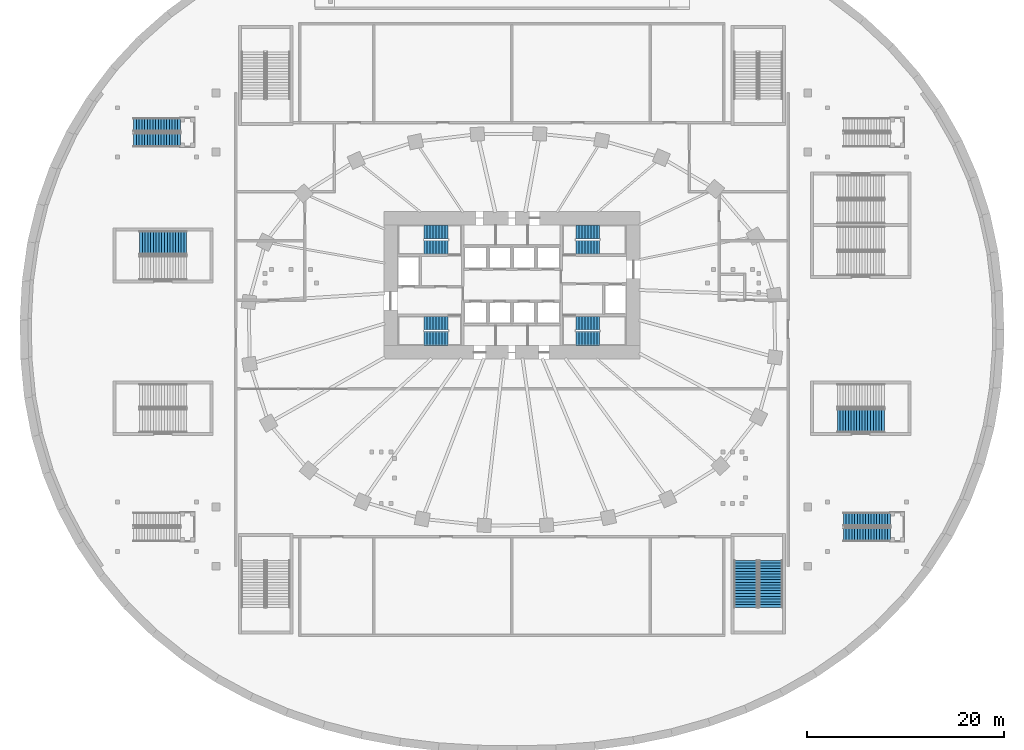
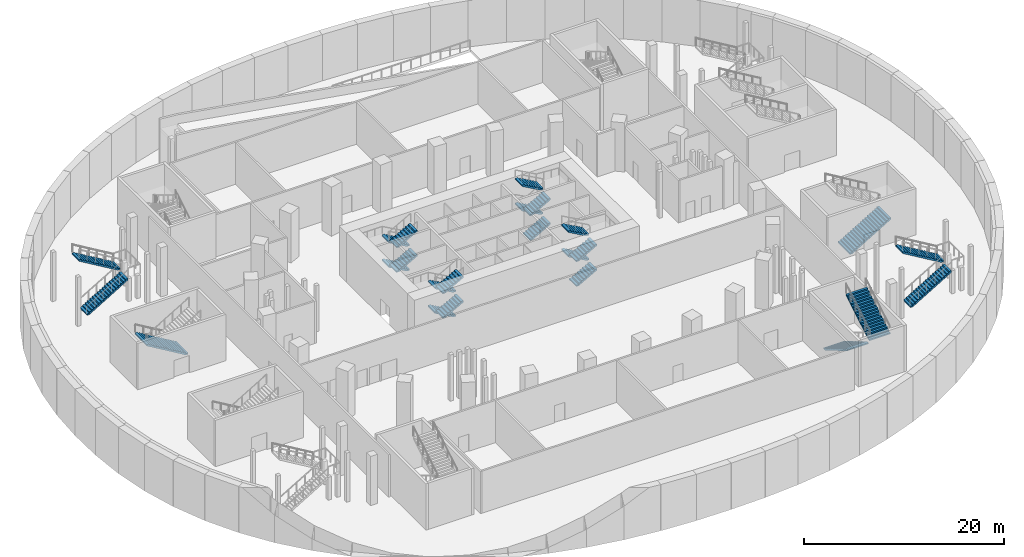
# One storey, part 10 of 19: 24 stair flights, 9 elements without a shape of their own.
"""IFC4 building model written with IfcOpenShell, lengths in metres."""

from ifc_helpers import new_model, si_unit, direction, frame, origin, place, context, subcontext, project, spatial, polyline, outline, extrude, material, type_object, element, aggregate, save


model = new_model("IFC4")

# Units and contexts
model_context = context("Model", 3, precision=1e-05, world=origin(), true_north=direction((0.0, 1.0)))
body_context = subcontext(model_context, "Body", "Model", "MODEL_VIEW")
ifc_project = project(units=[si_unit("LENGTHUNIT", "METRE"), si_unit("AREAUNIT", "SQUARE_METRE"), si_unit("VOLUMEUNIT", "CUBIC_METRE"), si_unit("PLANEANGLEUNIT", "RADIAN"), si_unit("MASSUNIT", "GRAM", prefix="KILO")], contexts=[model_context])

# Site, building, storey
site_placement = place(None, origin())
site = spatial("IfcSite", under=ifc_project, at=site_placement, CompositionType="ELEMENT")
building_placement = place(site_placement, origin())
building = spatial("IfcBuilding", under=site, at=building_placement, Name="Rubra Terraces Tower", CompositionType="ELEMENT")
storey_placement = place(building_placement, frame((0.0, 0.0, -6.0)))
storey = spatial("IfcBuildingStorey", under=building, at=storey_placement, Name="B1", CompositionType="ELEMENT", Elevation=-6.0)

# Stair, stair flights
ifc_material_1 = material(Name="Concrete C40", Category="concrete")
stair_type_1 = type_object("IfcStairType", Name="Core stair 1400", PredefinedType="HALF_TURN_STAIR", material=ifc_material_1)
stair_1_placement = place(storey_placement, origin())
stair_1 = element("IfcStair", 1, at=stair_1_placement, inside=storey, type_object=stair_type_1, Name="B1 Exit stair S1", PredefinedType="HALF_TURN_STAIR")
stair_flight_type_1 = type_object("IfcStairFlightType", Name="Core stair flight 1400", PredefinedType="STRAIGHT", material=ifc_material_1)
stair_flight_1_placement = place(storey_placement, frame((-6.5, 0.64990234375, 0.0), z_axis=(0.0, 0.0, 1.0), x_axis=(-1.0, 0.0, 0.0)))
stair_flight_1 = element("IfcStairFlight", 2, at=stair_flight_1_placement, type_object=stair_flight_type_1, Name="S1 flight 1", NumberOfRisers=9, NumberOfTreads=8, PredefinedType="STRAIGHT", RiserHeight=0.166666667, TreadLength=0.3, context=body_context, shape_type="SweptSolid", body=[
    extrude(outline(polyline([(0.0, 0.0), (0.0, 0.166748046875), (0.300048828125, 0.166748046875), (0.300048828125, 0.333251953125), (0.60009765625, 0.333251953125), (0.60009765625, 0.5), (0.89990234375, 0.5), (0.89990234375, 0.666748046875), (1.199951171875, 0.666748046875), (1.199951171875, 0.833251953125), (1.5, 0.833251953125), (1.5, 1.0), (1.800048828125, 1.0), (1.800048828125, 1.166748046875), (2.10009765625, 1.166748046875), (2.10009765625, 1.333251953125), (2.39990234375, 1.333251953125), (2.39990234375, 1.5), (2.39990234375, 1.161865234375), (0.30859375, 0.0), (0.0, 0.0)])), frame((0.0, 0.699951171875, 0.0), z_axis=(0.0, -1.0, 0.0), x_axis=(1.0, 0.0, 0.0)), (0.0, 0.0, 1.0), 1.39990234375),
])
stair_flight_2_placement = place(storey_placement, frame((-8.89990234375, -0.89990234375, 1.5), z_axis=(0.0, 0.0, 1.0), x_axis=(1.0, 0.0, 0.0)))
stair_flight_2 = element("IfcStairFlight", 3, at=stair_flight_2_placement, type_object=stair_flight_type_1, Name="S1 flight 2", NumberOfRisers=9, NumberOfTreads=8, PredefinedType="STRAIGHT", RiserHeight=0.166666667, TreadLength=0.3, context=body_context, shape_type="SweptSolid", body=[
    extrude(outline(polyline([(0.0, 0.0), (0.0, 0.166748046875), (0.300048828125, 0.166748046875), (0.300048828125, 0.333251953125), (0.60009765625, 0.333251953125), (0.60009765625, 0.5), (0.89990234375, 0.5), (0.89990234375, 0.666748046875), (1.199951171875, 0.666748046875), (1.199951171875, 0.833251953125), (1.5, 0.833251953125), (1.5, 1.0), (1.800048828125, 1.0), (1.800048828125, 1.166748046875), (2.10009765625, 1.166748046875), (2.10009765625, 1.333251953125), (2.39990234375, 1.333251953125), (2.39990234375, 1.5), (2.39990234375, 1.161865234375), (0.30859375, 0.0), (0.0, 0.0)])), frame((0.0, 0.699951171875, 0.0), z_axis=(0.0, -1.0, 0.0), x_axis=(1.0, 0.0, 0.0)), (0.0, 0.0, 1.0), 1.39990234375),
])
stair_flight_3_placement = place(storey_placement, frame((-6.5, 0.64990234375, 3.0), z_axis=(0.0, 0.0, 1.0), x_axis=(-1.0, 0.0, 0.0)))
stair_flight_3 = element("IfcStairFlight", 4, at=stair_flight_3_placement, type_object=stair_flight_type_1, Name="S1 flight 3", NumberOfRisers=9, NumberOfTreads=8, PredefinedType="STRAIGHT", RiserHeight=0.166666667, TreadLength=0.3, context=body_context, shape_type="SweptSolid", body=[
    extrude(outline(polyline([(0.0, 0.0), (0.0, 0.166748046875), (0.300048828125, 0.166748046875), (0.300048828125, 0.333251953125), (0.60009765625, 0.333251953125), (0.60009765625, 0.5), (0.89990234375, 0.5), (0.89990234375, 0.666748046875), (1.199951171875, 0.666748046875), (1.199951171875, 0.833251953125), (1.5, 0.833251953125), (1.5, 1.0), (1.800048828125, 1.0), (1.800048828125, 1.166748046875), (2.10009765625, 1.166748046875), (2.10009765625, 1.333251953125), (2.39990234375, 1.333251953125), (2.39990234375, 1.5), (2.39990234375, 1.161865234375), (0.30859375, 0.0), (0.0, 0.0)])), frame((0.0, 0.699951171875, 0.0), z_axis=(0.0, -1.0, 0.0), x_axis=(1.0, 0.0, 0.0)), (0.0, 0.0, 1.0), 1.39990234375),
])
stair_flight_4_placement = place(storey_placement, frame((-8.89990234375, -0.89990234375, 4.5), z_axis=(0.0, 0.0, 1.0), x_axis=(1.0, 0.0, 0.0)))
stair_flight_4 = element("IfcStairFlight", 5, at=stair_flight_4_placement, type_object=stair_flight_type_1, Name="S1 flight 4", NumberOfRisers=9, NumberOfTreads=8, PredefinedType="STRAIGHT", RiserHeight=0.166666667, TreadLength=0.3, context=body_context, shape_type="SweptSolid", body=[
    extrude(outline(polyline([(0.0, 0.0), (0.0, 0.166748046875), (0.300048828125, 0.166748046875), (0.300048828125, 0.333251953125), (0.60009765625, 0.333251953125), (0.60009765625, 0.5), (0.89990234375, 0.5), (0.89990234375, 0.666748046875), (1.199951171875, 0.666748046875), (1.199951171875, 0.833251953125), (1.5, 0.833251953125), (1.5, 1.0), (1.800048828125, 1.0), (1.800048828125, 1.166748046875), (2.10009765625, 1.166748046875), (2.10009765625, 1.333251953125), (2.39990234375, 1.333251953125), (2.39990234375, 1.5), (2.39990234375, 1.161865234375), (0.30859375, 0.0), (0.0, 0.0)])), frame((0.0, 0.699951171875, 0.0), z_axis=(0.0, -1.0, 0.0), x_axis=(1.0, 0.0, 0.0)), (0.0, 0.0, 1.0), 1.39990234375),
])
aggregate(stair_1, [stair_flight_1, stair_flight_2, stair_flight_3, stair_flight_4])

stair_2_placement = place(storey_placement, origin())
stair_2 = element("IfcStair", 6, at=stair_2_placement, inside=storey, type_object=stair_type_1, Name="B1 Exit stair S2", PredefinedType="HALF_TURN_STAIR")
stair_flight_5_placement = place(storey_placement, frame((-6.5, 9.89990234375, 0.0), z_axis=(0.0, 0.0, 1.0), x_axis=(-1.0, 0.0, 0.0)))
stair_flight_5 = element("IfcStairFlight", 7, at=stair_flight_5_placement, type_object=stair_flight_type_1, Name="S2 flight 1", NumberOfRisers=9, NumberOfTreads=8, PredefinedType="STRAIGHT", RiserHeight=0.166666667, TreadLength=0.3, context=body_context, shape_type="SweptSolid", body=[
    extrude(outline(polyline([(0.0, 0.0), (0.0, 0.166748046875), (0.300048828125, 0.166748046875), (0.300048828125, 0.333251953125), (0.60009765625, 0.333251953125), (0.60009765625, 0.5), (0.89990234375, 0.5), (0.89990234375, 0.666748046875), (1.199951171875, 0.666748046875), (1.199951171875, 0.833251953125), (1.5, 0.833251953125), (1.5, 1.0), (1.800048828125, 1.0), (1.800048828125, 1.166748046875), (2.10009765625, 1.166748046875), (2.10009765625, 1.333251953125), (2.39990234375, 1.333251953125), (2.39990234375, 1.5), (2.39990234375, 1.161865234375), (0.30859375, 0.0), (0.0, 0.0)])), frame((0.0, 0.699951171875, 0.0), z_axis=(0.0, -1.0, 0.0), x_axis=(1.0, 0.0, 0.0)), (0.0, 0.0, 1.0), 1.39990234375),
])
stair_flight_6_placement = place(storey_placement, frame((-8.89990234375, 8.35009765625, 1.5), z_axis=(0.0, 0.0, 1.0), x_axis=(1.0, 0.0, 0.0)))
stair_flight_6 = element("IfcStairFlight", 8, at=stair_flight_6_placement, type_object=stair_flight_type_1, Name="S2 flight 2", NumberOfRisers=9, NumberOfTreads=8, PredefinedType="STRAIGHT", RiserHeight=0.166666667, TreadLength=0.3, context=body_context, shape_type="SweptSolid", body=[
    extrude(outline(polyline([(0.0, 0.0), (0.0, 0.166748046875), (0.300048828125, 0.166748046875), (0.300048828125, 0.333251953125), (0.60009765625, 0.333251953125), (0.60009765625, 0.5), (0.89990234375, 0.5), (0.89990234375, 0.666748046875), (1.199951171875, 0.666748046875), (1.199951171875, 0.833251953125), (1.5, 0.833251953125), (1.5, 1.0), (1.800048828125, 1.0), (1.800048828125, 1.166748046875), (2.10009765625, 1.166748046875), (2.10009765625, 1.333251953125), (2.39990234375, 1.333251953125), (2.39990234375, 1.5), (2.39990234375, 1.161865234375), (0.30859375, 0.0), (0.0, 0.0)])), frame((0.0, 0.699951171875, 0.0), z_axis=(0.0, -1.0, 0.0), x_axis=(1.0, 0.0, 0.0)), (0.0, 0.0, 1.0), 1.39990234375),
])
stair_flight_7_placement = place(storey_placement, frame((-6.5, 9.89990234375, 3.0), z_axis=(0.0, 0.0, 1.0), x_axis=(-1.0, 0.0, 0.0)))
stair_flight_7 = element("IfcStairFlight", 9, at=stair_flight_7_placement, type_object=stair_flight_type_1, Name="S2 flight 3", NumberOfRisers=9, NumberOfTreads=8, PredefinedType="STRAIGHT", RiserHeight=0.166666667, TreadLength=0.3, context=body_context, shape_type="SweptSolid", body=[
    extrude(outline(polyline([(0.0, 0.0), (0.0, 0.166748046875), (0.300048828125, 0.166748046875), (0.300048828125, 0.333251953125), (0.60009765625, 0.333251953125), (0.60009765625, 0.5), (0.89990234375, 0.5), (0.89990234375, 0.666748046875), (1.199951171875, 0.666748046875), (1.199951171875, 0.833251953125), (1.5, 0.833251953125), (1.5, 1.0), (1.800048828125, 1.0), (1.800048828125, 1.166748046875), (2.10009765625, 1.166748046875), (2.10009765625, 1.333251953125), (2.39990234375, 1.333251953125), (2.39990234375, 1.5), (2.39990234375, 1.161865234375), (0.30859375, 0.0), (0.0, 0.0)])), frame((0.0, 0.699951171875, 0.0), z_axis=(0.0, -1.0, 0.0), x_axis=(1.0, 0.0, 0.0)), (0.0, 0.0, 1.0), 1.39990234375),
])
stair_flight_8_placement = place(storey_placement, frame((-8.89990234375, 8.35009765625, 4.5), z_axis=(0.0, 0.0, 1.0), x_axis=(1.0, 0.0, 0.0)))
stair_flight_8 = element("IfcStairFlight", 10, at=stair_flight_8_placement, type_object=stair_flight_type_1, Name="S2 flight 4", NumberOfRisers=9, NumberOfTreads=8, PredefinedType="STRAIGHT", RiserHeight=0.166666667, TreadLength=0.3, context=body_context, shape_type="SweptSolid", body=[
    extrude(outline(polyline([(0.0, 0.0), (0.0, 0.166748046875), (0.300048828125, 0.166748046875), (0.300048828125, 0.333251953125), (0.60009765625, 0.333251953125), (0.60009765625, 0.5), (0.89990234375, 0.5), (0.89990234375, 0.666748046875), (1.199951171875, 0.666748046875), (1.199951171875, 0.833251953125), (1.5, 0.833251953125), (1.5, 1.0), (1.800048828125, 1.0), (1.800048828125, 1.166748046875), (2.10009765625, 1.166748046875), (2.10009765625, 1.333251953125), (2.39990234375, 1.333251953125), (2.39990234375, 1.5), (2.39990234375, 1.161865234375), (0.30859375, 0.0), (0.0, 0.0)])), frame((0.0, 0.699951171875, 0.0), z_axis=(0.0, -1.0, 0.0), x_axis=(1.0, 0.0, 0.0)), (0.0, 0.0, 1.0), 1.39990234375),
])
aggregate(stair_2, [stair_flight_5, stair_flight_6, stair_flight_7, stair_flight_8])

stair_3_placement = place(storey_placement, origin())
stair_3 = element("IfcStair", 11, at=stair_3_placement, inside=storey, type_object=stair_type_1, Name="B1 Exit stair S3", PredefinedType="HALF_TURN_STAIR")
stair_flight_9_placement = place(storey_placement, frame((6.5, 8.35009765625, 0.0), z_axis=(0.0, 0.0, 1.0), x_axis=(1.0, 0.0, 0.0)))
stair_flight_9 = element("IfcStairFlight", 12, at=stair_flight_9_placement, type_object=stair_flight_type_1, Name="S3 flight 1", NumberOfRisers=9, NumberOfTreads=8, PredefinedType="STRAIGHT", RiserHeight=0.166666667, TreadLength=0.3, context=body_context, shape_type="SweptSolid", body=[
    extrude(outline(polyline([(0.0, 0.0), (0.0, 0.166748046875), (0.300048828125, 0.166748046875), (0.300048828125, 0.333251953125), (0.60009765625, 0.333251953125), (0.60009765625, 0.5), (0.89990234375, 0.5), (0.89990234375, 0.666748046875), (1.199951171875, 0.666748046875), (1.199951171875, 0.833251953125), (1.5, 0.833251953125), (1.5, 1.0), (1.800048828125, 1.0), (1.800048828125, 1.166748046875), (2.10009765625, 1.166748046875), (2.10009765625, 1.333251953125), (2.39990234375, 1.333251953125), (2.39990234375, 1.5), (2.39990234375, 1.161865234375), (0.30859375, 0.0), (0.0, 0.0)])), frame((0.0, 0.699951171875, 0.0), z_axis=(0.0, -1.0, 0.0), x_axis=(1.0, 0.0, 0.0)), (0.0, 0.0, 1.0), 1.39990234375),
])
stair_flight_10_placement = place(storey_placement, frame((8.89990234375, 9.89990234375, 1.5), z_axis=(0.0, 0.0, 1.0), x_axis=(-1.0, 0.0, 0.0)))
stair_flight_10 = element("IfcStairFlight", 13, at=stair_flight_10_placement, type_object=stair_flight_type_1, Name="S3 flight 2", NumberOfRisers=9, NumberOfTreads=8, PredefinedType="STRAIGHT", RiserHeight=0.166666667, TreadLength=0.3, context=body_context, shape_type="SweptSolid", body=[
    extrude(outline(polyline([(0.0, 0.0), (0.0, 0.166748046875), (0.300048828125, 0.166748046875), (0.300048828125, 0.333251953125), (0.60009765625, 0.333251953125), (0.60009765625, 0.5), (0.89990234375, 0.5), (0.89990234375, 0.666748046875), (1.199951171875, 0.666748046875), (1.199951171875, 0.833251953125), (1.5, 0.833251953125), (1.5, 1.0), (1.800048828125, 1.0), (1.800048828125, 1.166748046875), (2.10009765625, 1.166748046875), (2.10009765625, 1.333251953125), (2.39990234375, 1.333251953125), (2.39990234375, 1.5), (2.39990234375, 1.161865234375), (0.30859375, 0.0), (0.0, 0.0)])), frame((0.0, 0.699951171875, 0.0), z_axis=(0.0, -1.0, 0.0), x_axis=(1.0, 0.0, 0.0)), (0.0, 0.0, 1.0), 1.39990234375),
])
stair_flight_11_placement = place(storey_placement, frame((6.5, 8.35009765625, 3.0), z_axis=(0.0, 0.0, 1.0), x_axis=(1.0, 0.0, 0.0)))
stair_flight_11 = element("IfcStairFlight", 14, at=stair_flight_11_placement, type_object=stair_flight_type_1, Name="S3 flight 3", NumberOfRisers=9, NumberOfTreads=8, PredefinedType="STRAIGHT", RiserHeight=0.166666667, TreadLength=0.3, context=body_context, shape_type="SweptSolid", body=[
    extrude(outline(polyline([(0.0, 0.0), (0.0, 0.166748046875), (0.300048828125, 0.166748046875), (0.300048828125, 0.333251953125), (0.60009765625, 0.333251953125), (0.60009765625, 0.5), (0.89990234375, 0.5), (0.89990234375, 0.666748046875), (1.199951171875, 0.666748046875), (1.199951171875, 0.833251953125), (1.5, 0.833251953125), (1.5, 1.0), (1.800048828125, 1.0), (1.800048828125, 1.166748046875), (2.10009765625, 1.166748046875), (2.10009765625, 1.333251953125), (2.39990234375, 1.333251953125), (2.39990234375, 1.5), (2.39990234375, 1.161865234375), (0.30859375, 0.0), (0.0, 0.0)])), frame((0.0, 0.699951171875, 0.0), z_axis=(0.0, -1.0, 0.0), x_axis=(1.0, 0.0, 0.0)), (0.0, 0.0, 1.0), 1.39990234375),
])
stair_flight_12_placement = place(storey_placement, frame((8.89990234375, 9.89990234375, 4.5), z_axis=(0.0, 0.0, 1.0), x_axis=(-1.0, 0.0, 0.0)))
stair_flight_12 = element("IfcStairFlight", 15, at=stair_flight_12_placement, type_object=stair_flight_type_1, Name="S3 flight 4", NumberOfRisers=9, NumberOfTreads=8, PredefinedType="STRAIGHT", RiserHeight=0.166666667, TreadLength=0.3, context=body_context, shape_type="SweptSolid", body=[
    extrude(outline(polyline([(0.0, 0.0), (0.0, 0.166748046875), (0.300048828125, 0.166748046875), (0.300048828125, 0.333251953125), (0.60009765625, 0.333251953125), (0.60009765625, 0.5), (0.89990234375, 0.5), (0.89990234375, 0.666748046875), (1.199951171875, 0.666748046875), (1.199951171875, 0.833251953125), (1.5, 0.833251953125), (1.5, 1.0), (1.800048828125, 1.0), (1.800048828125, 1.166748046875), (2.10009765625, 1.166748046875), (2.10009765625, 1.333251953125), (2.39990234375, 1.333251953125), (2.39990234375, 1.5), (2.39990234375, 1.161865234375), (0.30859375, 0.0), (0.0, 0.0)])), frame((0.0, 0.699951171875, 0.0), z_axis=(0.0, -1.0, 0.0), x_axis=(1.0, 0.0, 0.0)), (0.0, 0.0, 1.0), 1.39990234375),
])
aggregate(stair_3, [stair_flight_9, stair_flight_10, stair_flight_11, stair_flight_12])

stair_4_placement = place(storey_placement, origin())
stair_4 = element("IfcStair", 16, at=stair_4_placement, inside=storey, type_object=stair_type_1, Name="B1 Exit stair S4", PredefinedType="HALF_TURN_STAIR")
stair_flight_13_placement = place(storey_placement, frame((6.5, -0.89990234375, 0.0), z_axis=(0.0, 0.0, 1.0), x_axis=(1.0, 0.0, 0.0)))
stair_flight_13 = element("IfcStairFlight", 17, at=stair_flight_13_placement, type_object=stair_flight_type_1, Name="S4 flight 1", NumberOfRisers=9, NumberOfTreads=8, PredefinedType="STRAIGHT", RiserHeight=0.166666667, TreadLength=0.3, context=body_context, shape_type="SweptSolid", body=[
    extrude(outline(polyline([(0.0, 0.0), (0.0, 0.166748046875), (0.300048828125, 0.166748046875), (0.300048828125, 0.333251953125), (0.60009765625, 0.333251953125), (0.60009765625, 0.5), (0.89990234375, 0.5), (0.89990234375, 0.666748046875), (1.199951171875, 0.666748046875), (1.199951171875, 0.833251953125), (1.5, 0.833251953125), (1.5, 1.0), (1.800048828125, 1.0), (1.800048828125, 1.166748046875), (2.10009765625, 1.166748046875), (2.10009765625, 1.333251953125), (2.39990234375, 1.333251953125), (2.39990234375, 1.5), (2.39990234375, 1.161865234375), (0.30859375, 0.0), (0.0, 0.0)])), frame((0.0, 0.699951171875, 0.0), z_axis=(0.0, -1.0, 0.0), x_axis=(1.0, 0.0, 0.0)), (0.0, 0.0, 1.0), 1.39990234375),
])
stair_flight_14_placement = place(storey_placement, frame((8.89990234375, 0.64990234375, 1.5), z_axis=(0.0, 0.0, 1.0), x_axis=(-1.0, 0.0, 0.0)))
stair_flight_14 = element("IfcStairFlight", 18, at=stair_flight_14_placement, type_object=stair_flight_type_1, Name="S4 flight 2", NumberOfRisers=9, NumberOfTreads=8, PredefinedType="STRAIGHT", RiserHeight=0.166666667, TreadLength=0.3, context=body_context, shape_type="SweptSolid", body=[
    extrude(outline(polyline([(0.0, 0.0), (0.0, 0.166748046875), (0.300048828125, 0.166748046875), (0.300048828125, 0.333251953125), (0.60009765625, 0.333251953125), (0.60009765625, 0.5), (0.89990234375, 0.5), (0.89990234375, 0.666748046875), (1.199951171875, 0.666748046875), (1.199951171875, 0.833251953125), (1.5, 0.833251953125), (1.5, 1.0), (1.800048828125, 1.0), (1.800048828125, 1.166748046875), (2.10009765625, 1.166748046875), (2.10009765625, 1.333251953125), (2.39990234375, 1.333251953125), (2.39990234375, 1.5), (2.39990234375, 1.161865234375), (0.30859375, 0.0), (0.0, 0.0)])), frame((0.0, 0.699951171875, 0.0), z_axis=(0.0, -1.0, 0.0), x_axis=(1.0, 0.0, 0.0)), (0.0, 0.0, 1.0), 1.39990234375),
])
stair_flight_15_placement = place(storey_placement, frame((6.5, -0.89990234375, 3.0), z_axis=(0.0, 0.0, 1.0), x_axis=(1.0, 0.0, 0.0)))
stair_flight_15 = element("IfcStairFlight", 19, at=stair_flight_15_placement, type_object=stair_flight_type_1, Name="S4 flight 3", NumberOfRisers=9, NumberOfTreads=8, PredefinedType="STRAIGHT", RiserHeight=0.166666667, TreadLength=0.3, context=body_context, shape_type="SweptSolid", body=[
    extrude(outline(polyline([(0.0, 0.0), (0.0, 0.166748046875), (0.300048828125, 0.166748046875), (0.300048828125, 0.333251953125), (0.60009765625, 0.333251953125), (0.60009765625, 0.5), (0.89990234375, 0.5), (0.89990234375, 0.666748046875), (1.199951171875, 0.666748046875), (1.199951171875, 0.833251953125), (1.5, 0.833251953125), (1.5, 1.0), (1.800048828125, 1.0), (1.800048828125, 1.166748046875), (2.10009765625, 1.166748046875), (2.10009765625, 1.333251953125), (2.39990234375, 1.333251953125), (2.39990234375, 1.5), (2.39990234375, 1.161865234375), (0.30859375, 0.0), (0.0, 0.0)])), frame((0.0, 0.699951171875, 0.0), z_axis=(0.0, -1.0, 0.0), x_axis=(1.0, 0.0, 0.0)), (0.0, 0.0, 1.0), 1.39990234375),
])
stair_flight_16_placement = place(storey_placement, frame((8.89990234375, 0.64990234375, 4.5), z_axis=(0.0, 0.0, 1.0), x_axis=(-1.0, 0.0, 0.0)))
stair_flight_16 = element("IfcStairFlight", 20, at=stair_flight_16_placement, type_object=stair_flight_type_1, Name="S4 flight 4", NumberOfRisers=9, NumberOfTreads=8, PredefinedType="STRAIGHT", RiserHeight=0.166666667, TreadLength=0.3, context=body_context, shape_type="SweptSolid", body=[
    extrude(outline(polyline([(0.0, 0.0), (0.0, 0.166748046875), (0.300048828125, 0.166748046875), (0.300048828125, 0.333251953125), (0.60009765625, 0.333251953125), (0.60009765625, 0.5), (0.89990234375, 0.5), (0.89990234375, 0.666748046875), (1.199951171875, 0.666748046875), (1.199951171875, 0.833251953125), (1.5, 0.833251953125), (1.5, 1.0), (1.800048828125, 1.0), (1.800048828125, 1.166748046875), (2.10009765625, 1.166748046875), (2.10009765625, 1.333251953125), (2.39990234375, 1.333251953125), (2.39990234375, 1.5), (2.39990234375, 1.161865234375), (0.30859375, 0.0), (0.0, 0.0)])), frame((0.0, 0.699951171875, 0.0), z_axis=(0.0, -1.0, 0.0), x_axis=(1.0, 0.0, 0.0)), (0.0, 0.0, 1.0), 1.39990234375),
])
aggregate(stair_4, [stair_flight_13, stair_flight_14, stair_flight_15, stair_flight_16])

# Stair, stair flight
ifc_material_2 = material(Name="Concrete C40/50", Category="concrete")
stair_type_2 = type_object("IfcStairType", Name="Exit stair", PredefinedType="HALF_TURN_STAIR", material=ifc_material_2)
stair_5_placement = place(storey_placement, origin())
stair_5 = element("IfcStair", 21, at=stair_5_placement, inside=storey, type_object=stair_type_2, Name="B1 exit stair SE2", PredefinedType="HALF_TURN_STAIR")
stair_flight_type_2 = type_object("IfcStairFlightType", Name="Exit stair flight 2400", PredefinedType="STRAIGHT", material=ifc_material_2)
stair_flight_17_placement = place(storey_placement, frame((33.0, -9.25, 0.0), z_axis=(0.0, 0.0, 1.0), x_axis=(1.0, 0.0, 0.0)))
stair_flight_17 = element("IfcStairFlight", 22, at=stair_flight_17_placement, type_object=stair_flight_type_2, Name="SE2 flight 1", NumberOfRisers=18, NumberOfTreads=17, PredefinedType="STRAIGHT", RiserHeight=0.166666667, TreadLength=0.28, context=body_context, shape_type="SweptSolid", body=[
    extrude(outline(polyline([(0.0, 0.0), (0.0, 0.166748046875), (0.280029296875, 0.166748046875), (0.280029296875, 0.333251953125), (0.56005859375, 0.333251953125), (0.56005859375, 0.5), (0.840087890625, 0.5), (0.840087890625, 0.666748046875), (1.1201171875, 0.666748046875), (1.1201171875, 0.833251953125), (1.39990234375, 0.833251953125), (1.39990234375, 1.0), (1.679931640625, 1.0), (1.679931640625, 1.166748046875), (1.9599609375, 1.166748046875), (1.9599609375, 1.333251953125), (2.239990234375, 1.333251953125), (2.239990234375, 1.5), (2.52001953125, 1.5), (2.52001953125, 1.666748046875), (2.800048828125, 1.666748046875), (2.800048828125, 1.833251953125), (3.080078125, 1.833251953125), (3.080078125, 2.0), (3.360107421875, 2.0), (3.360107421875, 2.166748046875), (3.639892578125, 2.166748046875), (3.639892578125, 2.333251953125), (3.919921875, 2.333251953125), (3.919921875, 2.5), (4.199951171875, 2.5), (4.199951171875, 2.666748046875), (4.47998046875, 2.666748046875), (4.47998046875, 2.833251953125), (4.760009765625, 2.833251953125), (4.760009765625, 3.0), (4.760009765625, 2.658935546875), (0.29296875, 0.0), (0.0, 0.0)])), frame((0.0, 1.199951171875, 0.0), z_axis=(0.0, -1.0, 0.0), x_axis=(1.0, 0.0, 0.0)), (0.0, 0.0, 1.0), 2.39990234375),
])
aggregate(stair_5, [stair_flight_17])

stair_6_placement = place(storey_placement, origin())
stair_6 = element("IfcStair", 23, at=stair_6_placement, inside=storey, type_object=stair_type_2, Name="B1 exit stair SE3", PredefinedType="HALF_TURN_STAIR")
stair_flight_18_placement = place(storey_placement, frame((-33.0, 8.800048828125, 0.0), z_axis=(0.0, 0.0, 1.0), x_axis=(-1.0, 0.0, 0.0)))
stair_flight_18 = element("IfcStairFlight", 24, at=stair_flight_18_placement, type_object=stair_flight_type_2, Name="SE3 flight 1", NumberOfRisers=18, NumberOfTreads=17, PredefinedType="STRAIGHT", RiserHeight=0.166666667, TreadLength=0.28, context=body_context, shape_type="SweptSolid", body=[
    extrude(outline(polyline([(0.0, 0.0), (0.0, 0.166748046875), (0.280029296875, 0.166748046875), (0.280029296875, 0.333251953125), (0.56005859375, 0.333251953125), (0.56005859375, 0.5), (0.840087890625, 0.5), (0.840087890625, 0.666748046875), (1.1201171875, 0.666748046875), (1.1201171875, 0.833251953125), (1.39990234375, 0.833251953125), (1.39990234375, 1.0), (1.679931640625, 1.0), (1.679931640625, 1.166748046875), (1.9599609375, 1.166748046875), (1.9599609375, 1.333251953125), (2.239990234375, 1.333251953125), (2.239990234375, 1.5), (2.52001953125, 1.5), (2.52001953125, 1.666748046875), (2.800048828125, 1.666748046875), (2.800048828125, 1.833251953125), (3.080078125, 1.833251953125), (3.080078125, 2.0), (3.360107421875, 2.0), (3.360107421875, 2.166748046875), (3.639892578125, 2.166748046875), (3.639892578125, 2.333251953125), (3.919921875, 2.333251953125), (3.919921875, 2.5), (4.199951171875, 2.5), (4.199951171875, 2.666748046875), (4.47998046875, 2.666748046875), (4.47998046875, 2.833251953125), (4.760009765625, 2.833251953125), (4.760009765625, 3.0), (4.760009765625, 2.658935546875), (0.29296875, 0.0), (0.0, 0.0)])), frame((0.0, 1.199951171875, 0.0), z_axis=(0.0, -1.0, 0.0), x_axis=(1.0, 0.0, 0.0)), (0.0, 0.0, 1.0), 2.39990234375),
])
aggregate(stair_6, [stair_flight_18])

# Stair, stair flights
stair_7_placement = place(storey_placement, origin())
stair_7 = element("IfcStair", 25, at=stair_7_placement, inside=storey, type_object=stair_type_2, Name="B1 exit stair SE7", PredefinedType="HALF_TURN_STAIR")
stair_flight_19_placement = place(storey_placement, frame((23.699951171875, -23.39990234375, 0.0), z_axis=(0.0, 0.0, 1.0), x_axis=(0.0, -1.0, 0.0)))
stair_flight_19 = element("IfcStairFlight", 26, at=stair_flight_19_placement, type_object=stair_flight_type_2, Name="SE7 flight 1", NumberOfRisers=18, NumberOfTreads=17, PredefinedType="STRAIGHT", RiserHeight=0.166666667, TreadLength=0.28, context=body_context, shape_type="SweptSolid", body=[
    extrude(outline(polyline([(0.0, 0.0), (0.0, 0.166748046875), (0.280029296875, 0.166748046875), (0.280029296875, 0.333251953125), (0.56005859375, 0.333251953125), (0.56005859375, 0.5), (0.840087890625, 0.5), (0.840087890625, 0.666748046875), (1.1201171875, 0.666748046875), (1.1201171875, 0.833251953125), (1.39990234375, 0.833251953125), (1.39990234375, 1.0), (1.679931640625, 1.0), (1.679931640625, 1.166748046875), (1.9599609375, 1.166748046875), (1.9599609375, 1.333251953125), (2.239990234375, 1.333251953125), (2.239990234375, 1.5), (2.52001953125, 1.5), (2.52001953125, 1.666748046875), (2.800048828125, 1.666748046875), (2.800048828125, 1.833251953125), (3.080078125, 1.833251953125), (3.080078125, 2.0), (3.360107421875, 2.0), (3.360107421875, 2.166748046875), (3.639892578125, 2.166748046875), (3.639892578125, 2.333251953125), (3.919921875, 2.333251953125), (3.919921875, 2.5), (4.199951171875, 2.5), (4.199951171875, 2.666748046875), (4.47998046875, 2.666748046875), (4.47998046875, 2.833251953125), (4.760009765625, 2.833251953125), (4.760009765625, 3.0), (4.760009765625, 2.658935546875), (0.29296875, 0.0), (0.0, 0.0)])), frame((0.0, 1.199951171875, 0.0), z_axis=(0.0, -1.0, 0.0), x_axis=(1.0, 0.0, 0.0)), (0.0, 0.0, 1.0), 2.39990234375),
])
stair_flight_20_placement = place(storey_placement, frame((26.25, -28.159912109375, 3.0), z_axis=(0.0, 0.0, 1.0), x_axis=(0.0, 1.0, 0.0)))
stair_flight_20 = element("IfcStairFlight", 27, at=stair_flight_20_placement, type_object=stair_flight_type_2, Name="SE7 flight 2", NumberOfRisers=18, NumberOfTreads=17, PredefinedType="STRAIGHT", RiserHeight=0.166666667, TreadLength=0.28, context=body_context, shape_type="SweptSolid", body=[
    extrude(outline(polyline([(0.0, 0.0), (0.0, 0.166748046875), (0.280029296875, 0.166748046875), (0.280029296875, 0.333251953125), (0.56005859375, 0.333251953125), (0.56005859375, 0.5), (0.840087890625, 0.5), (0.840087890625, 0.666748046875), (1.1201171875, 0.666748046875), (1.1201171875, 0.833251953125), (1.39990234375, 0.833251953125), (1.39990234375, 1.0), (1.679931640625, 1.0), (1.679931640625, 1.166748046875), (1.9599609375, 1.166748046875), (1.9599609375, 1.333251953125), (2.239990234375, 1.333251953125), (2.239990234375, 1.5), (2.52001953125, 1.5), (2.52001953125, 1.666748046875), (2.800048828125, 1.666748046875), (2.800048828125, 1.833251953125), (3.080078125, 1.833251953125), (3.080078125, 2.0), (3.360107421875, 2.0), (3.360107421875, 2.166748046875), (3.639892578125, 2.166748046875), (3.639892578125, 2.333251953125), (3.919921875, 2.333251953125), (3.919921875, 2.5), (4.199951171875, 2.5), (4.199951171875, 2.666748046875), (4.47998046875, 2.666748046875), (4.47998046875, 2.833251953125), (4.760009765625, 2.833251953125), (4.760009765625, 3.0), (4.760009765625, 2.658935546875), (0.29296875, 0.0), (0.0, 0.0)])), frame((0.0, 1.199951171875, 0.0), z_axis=(0.0, -1.0, 0.0), x_axis=(1.0, 0.0, 0.0)), (0.0, 0.0, 1.0), 2.39990234375),
])
aggregate(stair_7, [stair_flight_19, stair_flight_20])

ifc_material_3 = material(Name="Concrete C35/45", Category="concrete")
stair_type_3 = type_object("IfcStairType", Name="Station stair", PredefinedType="HALF_TURN_STAIR", material=ifc_material_3)
stair_8_placement = place(storey_placement, origin())
stair_8 = element("IfcStair", 28, at=stair_8_placement, inside=storey, type_object=stair_type_3, Name="B1 SP2-S", PredefinedType="HALF_TURN_STAIR")
stair_flight_type_3 = type_object("IfcStairFlightType", Name="Station stair flight 1200", PredefinedType="STRAIGHT", material=ifc_material_3)
stair_flight_21_placement = place(storey_placement, frame((-38.3798828125, 19.22509765625, 0.0), z_axis=(0.0, 0.0, 1.0), x_axis=(1.0, 0.0, 0.0)))
stair_flight_21 = element("IfcStairFlight", 29, at=stair_flight_21_placement, type_object=stair_flight_type_3, Name="SP2-S flight 1", NumberOfRisers=18, NumberOfTreads=17, PredefinedType="STRAIGHT", RiserHeight=0.166666667, TreadLength=0.28, context=body_context, shape_type="SweptSolid", body=[
    extrude(outline(polyline([(0.0, 0.0), (0.0, 0.166748046875), (0.280029296875, 0.166748046875), (0.280029296875, 0.333251953125), (0.56005859375, 0.333251953125), (0.56005859375, 0.5), (0.840087890625, 0.5), (0.840087890625, 0.666748046875), (1.1201171875, 0.666748046875), (1.1201171875, 0.833251953125), (1.39990234375, 0.833251953125), (1.39990234375, 1.0), (1.679931640625, 1.0), (1.679931640625, 1.166748046875), (1.9599609375, 1.166748046875), (1.9599609375, 1.333251953125), (2.239990234375, 1.333251953125), (2.239990234375, 1.5), (2.52001953125, 1.5), (2.52001953125, 1.666748046875), (2.800048828125, 1.666748046875), (2.800048828125, 1.833251953125), (3.080078125, 1.833251953125), (3.080078125, 2.0), (3.360107421875, 2.0), (3.360107421875, 2.166748046875), (3.639892578125, 2.166748046875), (3.639892578125, 2.333251953125), (3.919921875, 2.333251953125), (3.919921875, 2.5), (4.199951171875, 2.5), (4.199951171875, 2.666748046875), (4.47998046875, 2.666748046875), (4.47998046875, 2.833251953125), (4.760009765625, 2.833251953125), (4.760009765625, 3.0), (4.760009765625, 2.658935546875), (0.29296875, 0.0), (0.0, 0.0)])), frame((0.0, 0.699951171875, 0.0), z_axis=(0.0, -1.0, 0.0), x_axis=(1.0, 0.0, 0.0)), (0.0, 0.0, 1.0), 1.39990234375),
])
stair_flight_22_placement = place(storey_placement, frame((-33.6201171875, 20.77490234375, 3.0), z_axis=(0.0, 0.0, 1.0), x_axis=(-1.0, 0.0, 0.0)))
stair_flight_22 = element("IfcStairFlight", 30, at=stair_flight_22_placement, type_object=stair_flight_type_3, Name="SP2-S flight 2", NumberOfRisers=18, NumberOfTreads=17, PredefinedType="STRAIGHT", RiserHeight=0.166666667, TreadLength=0.28, context=body_context, shape_type="SweptSolid", body=[
    extrude(outline(polyline([(0.0, 0.0), (0.0, 0.166748046875), (0.280029296875, 0.166748046875), (0.280029296875, 0.333251953125), (0.56005859375, 0.333251953125), (0.56005859375, 0.5), (0.840087890625, 0.5), (0.840087890625, 0.666748046875), (1.1201171875, 0.666748046875), (1.1201171875, 0.833251953125), (1.39990234375, 0.833251953125), (1.39990234375, 1.0), (1.679931640625, 1.0), (1.679931640625, 1.166748046875), (1.9599609375, 1.166748046875), (1.9599609375, 1.333251953125), (2.239990234375, 1.333251953125), (2.239990234375, 1.5), (2.52001953125, 1.5), (2.52001953125, 1.666748046875), (2.800048828125, 1.666748046875), (2.800048828125, 1.833251953125), (3.080078125, 1.833251953125), (3.080078125, 2.0), (3.360107421875, 2.0), (3.360107421875, 2.166748046875), (3.639892578125, 2.166748046875), (3.639892578125, 2.333251953125), (3.919921875, 2.333251953125), (3.919921875, 2.5), (4.199951171875, 2.5), (4.199951171875, 2.666748046875), (4.47998046875, 2.666748046875), (4.47998046875, 2.833251953125), (4.760009765625, 2.833251953125), (4.760009765625, 3.0), (4.760009765625, 2.658935546875), (0.29296875, 0.0), (0.0, 0.0)])), frame((0.0, 0.699951171875, 0.0), z_axis=(0.0, -1.0, 0.0), x_axis=(1.0, 0.0, 0.0)), (0.0, 0.0, 1.0), 1.39990234375),
])
aggregate(stair_8, [stair_flight_21, stair_flight_22])

stair_9_placement = place(storey_placement, origin())
stair_9 = element("IfcStair", 31, at=stair_9_placement, inside=storey, type_object=stair_type_3, Name="B1 SP4-S", PredefinedType="HALF_TURN_STAIR")
stair_flight_23_placement = place(storey_placement, frame((33.6201171875, -20.77490234375, 0.0), z_axis=(0.0, 0.0, 1.0), x_axis=(1.0, 0.0, 0.0)))
stair_flight_23 = element("IfcStairFlight", 32, at=stair_flight_23_placement, type_object=stair_flight_type_3, Name="SP4-S flight 1", NumberOfRisers=18, NumberOfTreads=17, PredefinedType="STRAIGHT", RiserHeight=0.166666667, TreadLength=0.28, context=body_context, shape_type="SweptSolid", body=[
    extrude(outline(polyline([(0.0, 0.0), (0.0, 0.166748046875), (0.280029296875, 0.166748046875), (0.280029296875, 0.333251953125), (0.56005859375, 0.333251953125), (0.56005859375, 0.5), (0.840087890625, 0.5), (0.840087890625, 0.666748046875), (1.1201171875, 0.666748046875), (1.1201171875, 0.833251953125), (1.39990234375, 0.833251953125), (1.39990234375, 1.0), (1.679931640625, 1.0), (1.679931640625, 1.166748046875), (1.9599609375, 1.166748046875), (1.9599609375, 1.333251953125), (2.239990234375, 1.333251953125), (2.239990234375, 1.5), (2.52001953125, 1.5), (2.52001953125, 1.666748046875), (2.800048828125, 1.666748046875), (2.800048828125, 1.833251953125), (3.080078125, 1.833251953125), (3.080078125, 2.0), (3.360107421875, 2.0), (3.360107421875, 2.166748046875), (3.639892578125, 2.166748046875), (3.639892578125, 2.333251953125), (3.919921875, 2.333251953125), (3.919921875, 2.5), (4.199951171875, 2.5), (4.199951171875, 2.666748046875), (4.47998046875, 2.666748046875), (4.47998046875, 2.833251953125), (4.760009765625, 2.833251953125), (4.760009765625, 3.0), (4.760009765625, 2.658935546875), (0.29296875, 0.0), (0.0, 0.0)])), frame((0.0, 0.699951171875, 0.0), z_axis=(0.0, -1.0, 0.0), x_axis=(1.0, 0.0, 0.0)), (0.0, 0.0, 1.0), 1.39990234375),
])
stair_flight_24_placement = place(storey_placement, frame((38.3798828125, -19.22509765625, 3.0), z_axis=(0.0, 0.0, 1.0), x_axis=(-1.0, 0.0, 0.0)))
stair_flight_24 = element("IfcStairFlight", 33, at=stair_flight_24_placement, type_object=stair_flight_type_3, Name="SP4-S flight 2", NumberOfRisers=18, NumberOfTreads=17, PredefinedType="STRAIGHT", RiserHeight=0.166666667, TreadLength=0.28, context=body_context, shape_type="SweptSolid", body=[
    extrude(outline(polyline([(0.0, 0.0), (0.0, 0.166748046875), (0.280029296875, 0.166748046875), (0.280029296875, 0.333251953125), (0.56005859375, 0.333251953125), (0.56005859375, 0.5), (0.840087890625, 0.5), (0.840087890625, 0.666748046875), (1.1201171875, 0.666748046875), (1.1201171875, 0.833251953125), (1.39990234375, 0.833251953125), (1.39990234375, 1.0), (1.679931640625, 1.0), (1.679931640625, 1.166748046875), (1.9599609375, 1.166748046875), (1.9599609375, 1.333251953125), (2.239990234375, 1.333251953125), (2.239990234375, 1.5), (2.52001953125, 1.5), (2.52001953125, 1.666748046875), (2.800048828125, 1.666748046875), (2.800048828125, 1.833251953125), (3.080078125, 1.833251953125), (3.080078125, 2.0), (3.360107421875, 2.0), (3.360107421875, 2.166748046875), (3.639892578125, 2.166748046875), (3.639892578125, 2.333251953125), (3.919921875, 2.333251953125), (3.919921875, 2.5), (4.199951171875, 2.5), (4.199951171875, 2.666748046875), (4.47998046875, 2.666748046875), (4.47998046875, 2.833251953125), (4.760009765625, 2.833251953125), (4.760009765625, 3.0), (4.760009765625, 2.658935546875), (0.29296875, 0.0), (0.0, 0.0)])), frame((0.0, 0.699951171875, 0.0), z_axis=(0.0, -1.0, 0.0), x_axis=(1.0, 0.0, 0.0)), (0.0, 0.0, 1.0), 1.39990234375),
])
aggregate(stair_9, [stair_flight_23, stair_flight_24])

save(model, "model.ifc")
